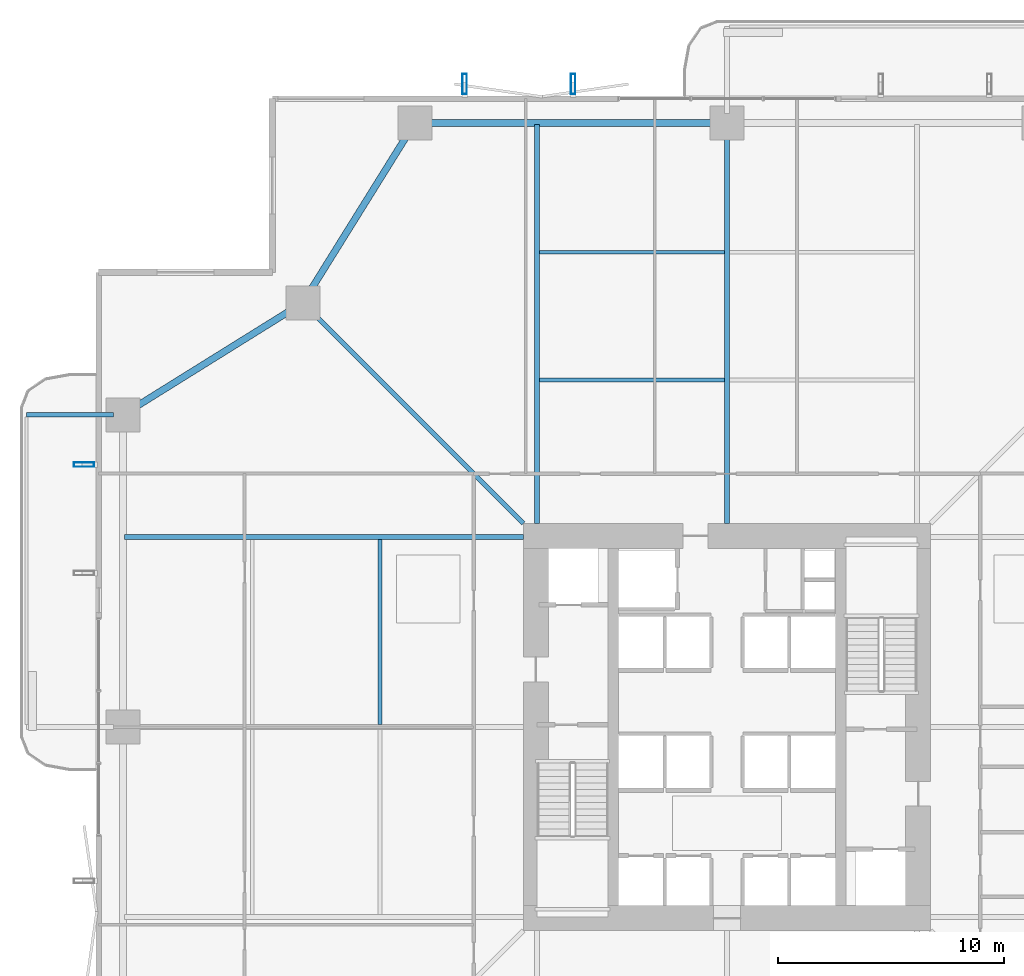
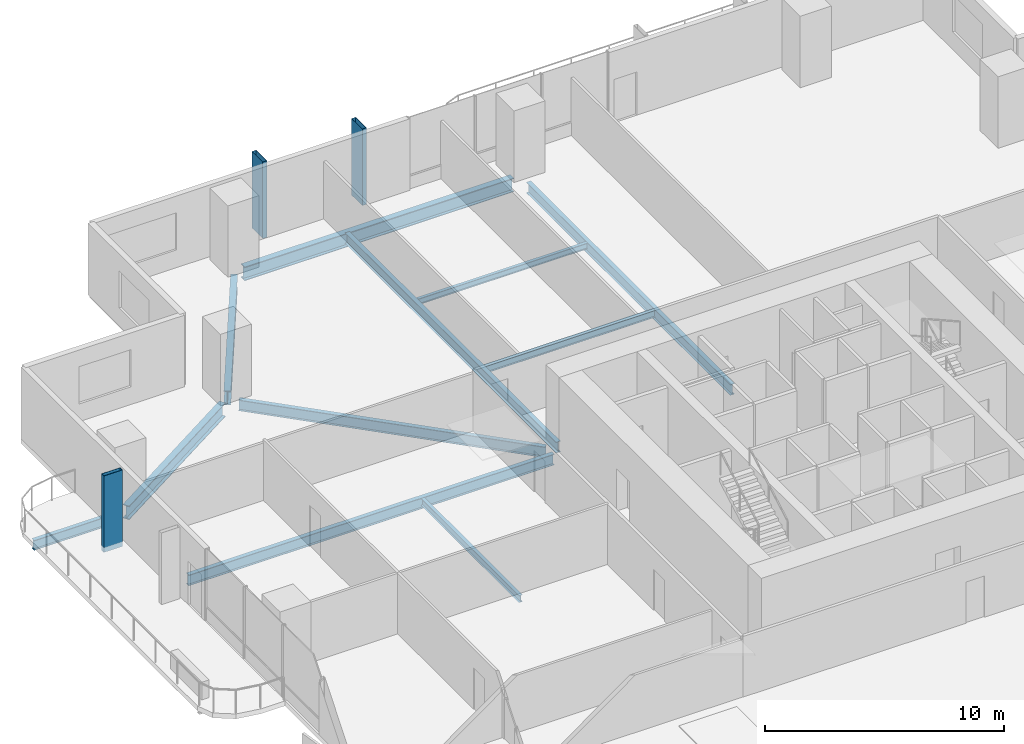
# One storey, part 10 of 23: 11 beams, 3 members.
"""IFC4 building model written with IfcOpenShell, lengths in metres."""

from ifc_helpers import new_model, si_unit, direction, frame, origin, origin_2d, place, context, subcontext, project, spatial, hollow_rectangle, i_section, extrude, material, material_profile, profile_set, type_object, element, save


model = new_model("IFC4")

# Units and contexts
model_context = context("Model", 3, precision=1e-05, world=origin(), true_north=direction((0.0, 1.0)))
body_context = subcontext(model_context, "Body", "Model", "MODEL_VIEW")
ifc_project = project(units=[si_unit("LENGTHUNIT", "METRE"), si_unit("AREAUNIT", "SQUARE_METRE"), si_unit("VOLUMEUNIT", "CUBIC_METRE"), si_unit("PLANEANGLEUNIT", "RADIAN"), si_unit("MASSUNIT", "GRAM", prefix="KILO")], contexts=[model_context])

# Site, building, storey
site_placement = place(None, origin())
site = spatial("IfcSite", under=ifc_project, at=site_placement, CompositionType="ELEMENT")
building_placement = place(site_placement, origin())
building = spatial("IfcBuilding", under=site, at=building_placement, Name="Belovzor Exchange Tower", CompositionType="ELEMENT")
storey_placement = place(building_placement, frame((0.0, 0.0, 100.199951171875)))
storey = spatial("IfcBuildingStorey", under=building, at=storey_placement, Name="L24", CompositionType="ELEMENT", Elevation=100.199951171875)

# Beams
ifc_material_1 = material(Name="Steel S355", Category="steel")
ifc_material_profile_1 = material_profile(ifc_material_1, i_section(OverallWidth=0.199951171875, OverallDepth=0.5, WebThickness=0.01025390625, FlangeThickness=0.01611328125, at=origin_2d()))
ifc_profile_set_1 = profile_set([ifc_material_profile_1], Name="Steel S355")
beam_type_1 = type_object("IfcBeamType", Name="Planted Balcony Cantilever Beam IPE 500", PredefinedType="BEAM", material=ifc_profile_set_1)
beam_1_placement = place(storey_placement, frame((1.68798828125, 42.60009765625, -0.5), z_axis=(-1.0, 0.0, 0.0), x_axis=(0.0, -1.0, 0.0)))
element("IfcBeam", 1, at=beam_1_placement, inside=storey, type_object=beam_type_1, Name="BC-500 Planted Balcony Cantilever Beam IPE 500", PredefinedType="BEAM", context=body_context, shape_type="SweptSolid", body=[
    extrude(i_section(OverallWidth=0.199951171875, OverallDepth=0.5, WebThickness=0.01025390625, FlangeThickness=0.01611328125, at=origin_2d()), origin(), (0.0, 0.0, 1.0), 3.85009765625),
])
ifc_material_2 = material(Name="Steel S355", Category="steel")
ifc_material_profile_2 = material_profile(ifc_material_2, i_section(OverallWidth=0.169921875, OverallDepth=0.360107421875, WebThickness=0.008056640625, FlangeThickness=0.0126953125, at=origin_2d()))
ifc_profile_set_2 = profile_set([ifc_material_profile_2], Name="Steel S355")
beam_type_2 = type_object("IfcBeamType", Name="Secondary Infill Floor Joist IPE 360", PredefinedType="BEAM", material=ifc_profile_set_2)
beam_2_placement = place(storey_placement, frame((20.5048828125, 44.14501953125, -0.429931640625), z_axis=(1.0, 0.0, 0.0), x_axis=(0.0, 1.0, 0.0)))
element("IfcBeam", 2, at=beam_2_placement, inside=storey, type_object=beam_type_2, Name="FJ-360 Secondary Infill Floor Joist IPE 360", PredefinedType="BEAM", context=body_context, shape_type="SweptSolid", body=[
    extrude(i_section(OverallWidth=0.169921875, OverallDepth=0.360107421875, WebThickness=0.008056640625, FlangeThickness=0.0126953125, at=origin_2d()), origin(), (0.0, 0.0, 1.0), 8.190185546875),
])
beam_3_placement = place(storey_placement, frame((13.455078125, 28.905029296875, -0.429931640625), z_axis=(0.0, 1.0, 0.0), x_axis=(-1.0, 0.0, 0.0)))
element("IfcBeam", 3, at=beam_3_placement, inside=storey, type_object=beam_type_2, Name="FJ-360 Secondary Infill Floor Joist IPE 360", PredefinedType="BEAM", context=body_context, shape_type="SweptSolid", body=[
    extrude(i_section(OverallWidth=0.169921875, OverallDepth=0.360107421875, WebThickness=0.008056640625, FlangeThickness=0.0126953125, at=origin_2d()), origin(), (0.0, 0.0, 1.0), 8.18994140625),
])
ifc_material_3 = material(Name="Steel S355", Category="steel")
ifc_material_profile_3 = material_profile(ifc_material_3, i_section(OverallWidth=0.14990234375, OverallDepth=0.300048828125, WebThickness=0.007080078125, FlangeThickness=0.0107421875, at=origin_2d()))
ifc_profile_set_3 = profile_set([ifc_material_profile_3], Name="Steel S355")
beam_type_3 = type_object("IfcBeamType", Name="Secondary Trim Floor Joist IPE 300", PredefinedType="BEAM", material=ifc_profile_set_3)
beam_4_placement = place(storey_placement, frame((20.5048828125, 49.784912109375, -0.39990234375), z_axis=(1.0, 0.0, 0.0), x_axis=(0.0, 1.0, 0.0)))
element("IfcBeam", 4, at=beam_4_placement, inside=storey, type_object=beam_type_3, Name="FJ-300 Secondary Trim Floor Joist IPE 300", PredefinedType="BEAM", context=body_context, shape_type="SweptSolid", body=[
    extrude(i_section(OverallWidth=0.14990234375, OverallDepth=0.300048828125, WebThickness=0.007080078125, FlangeThickness=0.0107421875, at=origin_2d()), origin(), (0.0, 0.0, 1.0), 8.190185546875),
])

# Members
ifc_material_4 = material(Name="Extruded Architectural Terracotta on Steel S355 Carrier", Category="masonry")
ifc_material_profile_4 = material_profile(ifc_material_4, hollow_rectangle(XDim=0.199951171875, YDim=0.89990234375, WallThickness=0.011962890625, at=origin_2d()))
ifc_profile_set_4 = profile_set([ifc_material_profile_4], Name="Extruded Architectural Terracotta on Steel S355 Carrier")
member_type = type_object("IfcMemberType", Name="Sweeping Terracotta Baguette Fin Assembly 1250", PredefinedType="USERDEFINED", material=ifc_profile_set_4)
for number, where, z_axis, x_axis, name in (
    (5, (17.199951171875, 57.22509765625, -0.25), (0.0, 0.0, 1.0), (1.0, 0.0, 0.0), "FIN-TC125 Terracotta Facade Fin L24 N1"),
    (6, (22.0, 57.22509765625, -0.25), (0.0, 0.0, 1.0), (1.0, 0.0, 0.0), "FIN-TC125 Terracotta Facade Fin L24 N2"),
    (7, (0.375, 40.39990234375, -0.25), (0.0, 0.0, 1.0), (0.0, 1.0, 0.0), "FIN-TC125 Terracotta Facade Fin L24 W4"),
):
    element("IfcMember", number, at=place(storey_placement, frame(where, z_axis=z_axis, x_axis=x_axis)), inside=storey, type_object=member_type, Name=name, ObjectType="FIN", PredefinedType="USERDEFINED", context=body_context, shape_type="SweptSolid", body=[
        extrude(hollow_rectangle(XDim=0.199951171875, YDim=0.89990234375, WallThickness=0.011962890625, at=origin_2d()), origin(), (0.0, 0.0, 1.0), 3.900146484375),
    ])

# Beams
ifc_material_5 = material(Name="Steel S355", Category="steel")
ifc_material_profile_5 = material_profile(ifc_material_5, i_section(OverallWidth=0.300048828125, OverallDepth=0.699951171875, WebThickness=0.01708984375, FlangeThickness=0.031982421875, at=origin_2d()))
ifc_profile_set_5 = profile_set([ifc_material_profile_5], Name="Steel S355")
beam_type_4 = type_object("IfcBeamType", Name="Zone 1 Primary Perimeter Girder HEB 700", PredefinedType="BEAM", material=ifc_profile_set_5)
beam_5_placement = place(storey_placement, frame((28.386962890625, 55.5, -0.599853515625), z_axis=(-1.0, 0.0, 0.0), x_axis=(0.0, -1.0, 0.0)))
element("IfcBeam", 8, at=beam_5_placement, inside=storey, type_object=beam_type_4, Name="FG-Z1 Zone 1 Primary Perimeter Girder HEB 700", PredefinedType="BEAM", context=body_context, shape_type="SweptSolid", body=[
    extrude(i_section(OverallWidth=0.300048828125, OverallDepth=0.699951171875, WebThickness=0.01708984375, FlangeThickness=0.031982421875, at=origin_2d()), origin(), (0.0, 0.0, 1.0), 12.974853515625),
])
for number, where, z_axis, x_axis, name in (
    (9, (14.781982421875, 55.14990234375, -0.599853515625), (-0.528538629686, -0.848909251292, 0.0), (0.848909251292, -0.528538629686, 0.0), "FG-Z1 Zone 1 Primary Perimeter Girder HEB 700"),
    (10, (9.699951171875, 47.33203125, -0.599853515625), (-0.848909251292, -0.528538629686, 0.0), (0.528538629686, -0.848909251292, 0.0), "FG-Z1 Zone 1 Primary Perimeter Girder HEB 700"),
):
    element("IfcBeam", number, at=place(storey_placement, frame(where, z_axis=z_axis, x_axis=x_axis)), inside=storey, type_object=beam_type_4, Name=name, PredefinedType="BEAM", context=body_context, shape_type="SweptSolid", body=[
        extrude(i_section(OverallWidth=0.300048828125, OverallDepth=0.699951171875, WebThickness=0.01708984375, FlangeThickness=0.031982421875, at=origin_2d()), origin(), (0.0, 0.0, 1.0), 8.540283203125),
    ])
ifc_material_6 = material(Name="Steel S355", Category="steel")
ifc_material_profile_6 = material_profile(ifc_material_6, i_section(OverallWidth=0.2099609375, OverallDepth=0.550048828125, WebThickness=0.010986328125, FlangeThickness=0.01708984375, at=origin_2d()))
ifc_profile_set_6 = profile_set([ifc_material_profile_6], Name="Steel S355")
beam_type_5 = type_object("IfcBeamType", Name="Zone 1 Radial Composite Floor Beam IPE 550", PredefinedType="BEAM", material=ifc_profile_set_6)
beam_6_placement = place(storey_placement, frame((20.39990234375, 37.800048828125, -0.52490234375), z_axis=(0.0, 1.0, 0.0), x_axis=(-1.0, 0.0, 0.0)))
element("IfcBeam", 11, at=beam_6_placement, inside=storey, type_object=beam_type_5, Name="FB-550 Zone 1 Radial Composite Floor Beam IPE 550", PredefinedType="BEAM", context=body_context, shape_type="SweptSolid", body=[
    extrude(i_section(OverallWidth=0.2099609375, OverallDepth=0.550048828125, WebThickness=0.010986328125, FlangeThickness=0.01708984375, at=origin_2d()), origin(), (0.0, 0.0, 1.0), 17.625),
])
beam_7_placement = place(storey_placement, frame((28.800048828125, 37.800048828125, -0.52490234375), z_axis=(0.0, 1.0, 0.0), x_axis=(-1.0, 0.0, 0.0)))
element("IfcBeam", 12, at=beam_7_placement, inside=storey, type_object=beam_type_5, Name="FB-550 Zone 1 Radial Composite Floor Beam IPE 550", PredefinedType="BEAM", context=body_context, shape_type="SweptSolid", body=[
    extrude(i_section(OverallWidth=0.2099609375, OverallDepth=0.550048828125, WebThickness=0.010986328125, FlangeThickness=0.01708984375, at=origin_2d()), origin(), (0.0, 0.0, 1.0), 17.0400390625),
])
beam_8_placement = place(storey_placement, frame((19.800048828125, 37.199951171875, -0.52490234375), z_axis=(-1.0, 0.0, 0.0), x_axis=(0.0, -1.0, 0.0)))
element("IfcBeam", 13, at=beam_8_placement, inside=storey, type_object=beam_type_5, Name="FB-550 Zone 1 Radial Composite Floor Beam IPE 550", PredefinedType="BEAM", context=body_context, shape_type="SweptSolid", body=[
    extrude(i_section(OverallWidth=0.2099609375, OverallDepth=0.550048828125, WebThickness=0.010986328125, FlangeThickness=0.01708984375, at=origin_2d()), origin(), (0.0, 0.0, 1.0), 17.625),
])
beam_9_placement = place(storey_placement, frame((19.800048828125, 37.800048828125, -0.52490234375), z_axis=(-0.707106781187, 0.707106781187, 0.0), x_axis=(-0.707106781187, -0.707106781187, 0.0)))
element("IfcBeam", 14, at=beam_9_placement, inside=storey, type_object=beam_type_5, Name="FB-550 Zone 1 Radial Composite Floor Beam IPE 550", PredefinedType="BEAM", context=body_context, shape_type="SweptSolid", body=[
    extrude(i_section(OverallWidth=0.2099609375, OverallDepth=0.550048828125, WebThickness=0.010986328125, FlangeThickness=0.01708984375, at=origin_2d()), origin(), (0.0, 0.0, 1.0), 13.25830078125),
])

save(model, "model.ifc")
